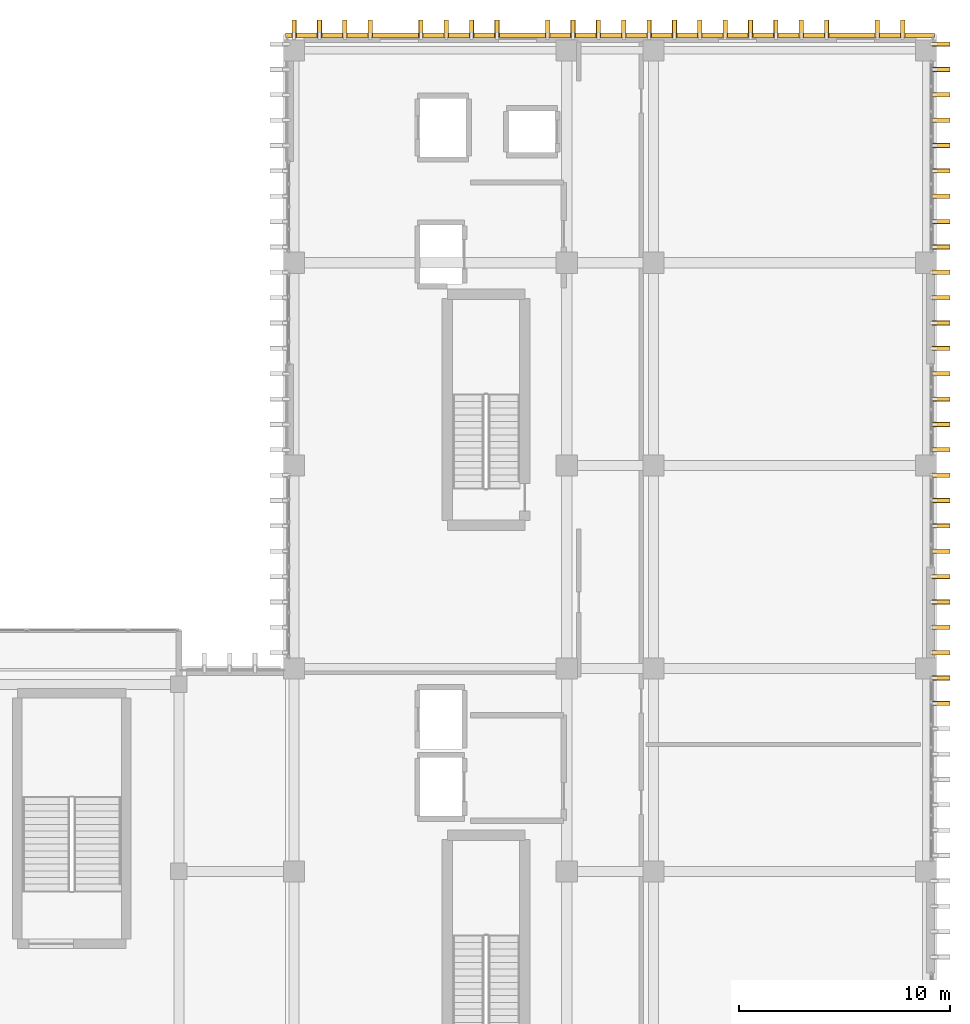
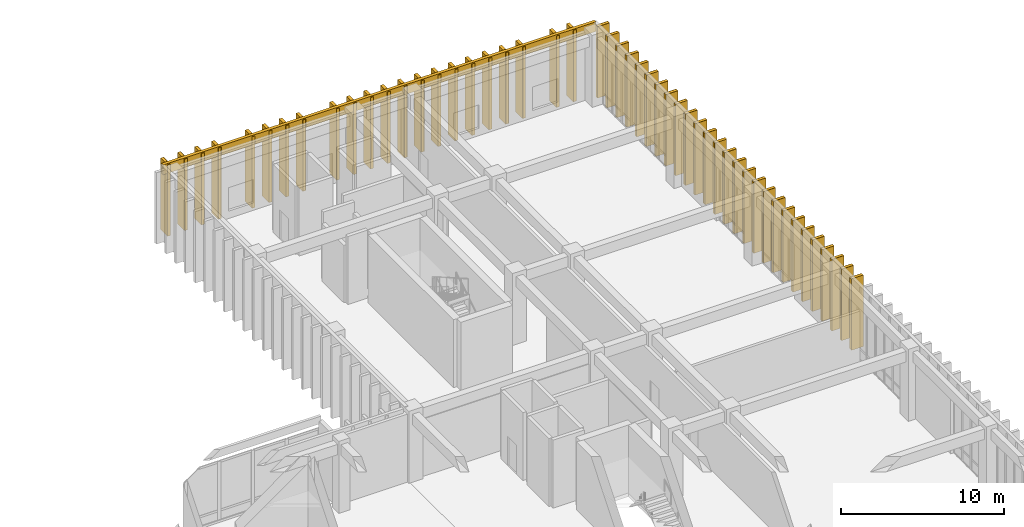
# One storey, part 134 of 134: 50 coverings, 49 shading devices.
"""IFC4 building model written with IfcOpenShell, lengths in metres."""

from ifc_helpers import new_model, si_unit, direction, frame, origin, origin_2d, place, context, subcontext, project, spatial, rectangle, extrude, material, layer, layer_set, type_object, element, save


model = new_model("IFC4")

# Units and contexts
model_context = context("Model", 3, precision=1e-05, world=origin(), true_north=direction((0.0, 1.0)))
body_context = subcontext(model_context, "Body", "Model", "MODEL_VIEW")
ifc_project = project(units=[si_unit("LENGTHUNIT", "METRE"), si_unit("AREAUNIT", "SQUARE_METRE"), si_unit("VOLUMEUNIT", "CUBIC_METRE"), si_unit("PLANEANGLEUNIT", "RADIAN"), si_unit("MASSUNIT", "GRAM", prefix="KILO")], contexts=[model_context])

# Site, building, storey
site_placement = place(None, origin())
site = spatial("IfcSite", under=ifc_project, at=site_placement, CompositionType="ELEMENT")
building_placement = place(site_placement, origin())
building = spatial("IfcBuilding", under=site, at=building_placement, Name="Nakhvara Creek Congress Hotel", CompositionType="ELEMENT")
storey_placement = place(building_placement, frame((0.0, 0.0, 6.0)))
storey = spatial("IfcBuildingStorey", under=building, at=storey_placement, Name="L01", CompositionType="ELEMENT", Elevation=6.0)

# Coverings
ifc_material_1 = material(Name="Honed pale Omani limestone architectural cladding", Category="masonry")
ifc_layer_1 = layer(ifc_material_1, 0.219970703125)
ifc_layer_set_1 = layer_set([ifc_layer_1], Name="Honed pale Omani limestone architectural cladding")
covering_type_1 = type_object("IfcCoveringType", Name="COV-FIN-850", PredefinedType="CLADDING", material=ifc_layer_set_1)
for number, where, z_axis, x_axis, name in (
    (1, (180.054931640625, 94.35009765625, 0.0), (0.0, 0.0, 1.0), (0.0, 1.0, 0.0), "Pale Limestone Fin Cladding CF01-0755"),
    (2, (180.054931640625, 95.550048828125, 0.0), (0.0, 0.0, 1.0), (0.0, 1.0, 0.0), "Pale Limestone Fin Cladding CF01-0756"),
    (3, (180.054931640625, 96.75, 0.0), (0.0, 0.0, 1.0), (0.0, 1.0, 0.0), "Pale Limestone Fin Cladding CF01-0757"),
    (4, (180.054931640625, 97.949951171875, 0.0), (0.0, 0.0, 1.0), (0.0, 1.0, 0.0), "Pale Limestone Fin Cladding CF01-0759"),
    (5, (180.054931640625, 99.14990234375, 0.0), (0.0, 0.0, 1.0), (0.0, 1.0, 0.0), "Pale Limestone Fin Cladding CF01-0761"),
    (6, (180.054931640625, 100.35009765625, 0.0), (0.0, 0.0, 1.0), (0.0, 1.0, 0.0), "Pale Limestone Fin Cladding CF01-0763"),
    (7, (180.054931640625, 101.550048828125, 0.0), (0.0, 0.0, 1.0), (0.0, 1.0, 0.0), "Pale Limestone Fin Cladding CF01-0765"),
    (8, (180.054931640625, 102.75, 0.0), (0.0, 0.0, 1.0), (0.0, 1.0, 0.0), "Pale Limestone Fin Cladding CF01-0767"),
    (9, (180.054931640625, 103.949951171875, 0.0), (0.0, 0.0, 1.0), (0.0, 1.0, 0.0), "Pale Limestone Fin Cladding CF01-0769"),
    (10, (180.054931640625, 105.14990234375, 0.0), (0.0, 0.0, 1.0), (0.0, 1.0, 0.0), "Pale Limestone Fin Cladding CF01-0771"),
    (11, (180.054931640625, 106.35009765625, 0.0), (0.0, 0.0, 1.0), (0.0, 1.0, 0.0), "Pale Limestone Fin Cladding CF01-0773"),
    (12, (180.054931640625, 107.550048828125, 0.0), (0.0, 0.0, 1.0), (0.0, 1.0, 0.0), "Pale Limestone Fin Cladding CF01-0775"),
    (13, (180.054931640625, 108.75, 0.0), (0.0, 0.0, 1.0), (0.0, 1.0, 0.0), "Pale Limestone Fin Cladding CF01-0777"),
    (14, (180.054931640625, 109.949951171875, 0.0), (0.0, 0.0, 1.0), (0.0, 1.0, 0.0), "Pale Limestone Fin Cladding CF01-0779"),
    (15, (180.054931640625, 111.14990234375, 0.0), (0.0, 0.0, 1.0), (0.0, 1.0, 0.0), "Pale Limestone Fin Cladding CF01-0781"),
    (16, (180.054931640625, 112.35009765625, 0.0), (0.0, 0.0, 1.0), (0.0, 1.0, 0.0), "Pale Limestone Fin Cladding CF01-0783"),
    (17, (180.054931640625, 113.550048828125, 0.0), (0.0, 0.0, 1.0), (0.0, 1.0, 0.0), "Pale Limestone Fin Cladding CF01-0785"),
    (18, (180.054931640625, 114.75, 0.0), (0.0, 0.0, 1.0), (0.0, 1.0, 0.0), "Pale Limestone Fin Cladding CF01-0787"),
    (19, (180.054931640625, 115.949951171875, 0.0), (0.0, 0.0, 1.0), (0.0, 1.0, 0.0), "Pale Limestone Fin Cladding CF01-0789"),
    (20, (180.054931640625, 117.14990234375, 0.0), (0.0, 0.0, 1.0), (0.0, 1.0, 0.0), "Pale Limestone Fin Cladding CF01-0791"),
    (21, (180.054931640625, 118.35009765625, 0.0), (0.0, 0.0, 1.0), (0.0, 1.0, 0.0), "Pale Limestone Fin Cladding CF01-0793"),
    (22, (180.054931640625, 119.550048828125, 0.0), (0.0, 0.0, 1.0), (0.0, 1.0, 0.0), "Pale Limestone Fin Cladding CF01-0795"),
    (23, (180.054931640625, 120.75, 0.0), (0.0, 0.0, 1.0), (0.0, 1.0, 0.0), "Pale Limestone Fin Cladding CF01-0797"),
    (24, (180.054931640625, 121.949951171875, 0.0), (0.0, 0.0, 1.0), (0.0, 1.0, 0.0), "Pale Limestone Fin Cladding CF01-0799"),
    (25, (180.054931640625, 123.14990234375, 0.0), (0.0, 0.0, 1.0), (0.0, 1.0, 0.0), "Pale Limestone Fin Cladding CF01-0801"),
    (26, (180.054931640625, 124.35009765625, 0.0), (0.0, 0.0, 1.0), (0.0, 1.0, 0.0), "Pale Limestone Fin Cladding CF01-0803"),
    (27, (180.054931640625, 125.550048828125, 0.0), (0.0, 0.0, 1.0), (0.0, 1.0, 0.0), "Pale Limestone Fin Cladding CF01-0805"),
    (28, (149.449951171875, 126.264892578125, 0.0), (0.0, 0.0, 1.0), (1.0, 0.0, 0.0), "Pale Limestone Fin Cladding CF01-0807"),
    (29, (150.64990234375, 126.264892578125, 0.0), (0.0, 0.0, 1.0), (1.0, 0.0, 0.0), "Pale Limestone Fin Cladding CF01-0809"),
    (30, (151.85009765625, 126.264892578125, 0.0), (0.0, 0.0, 1.0), (1.0, 0.0, 0.0), "Pale Limestone Fin Cladding CF01-0811"),
    (31, (153.050048828125, 126.264892578125, 0.0), (0.0, 0.0, 1.0), (1.0, 0.0, 0.0), "Pale Limestone Fin Cladding CF01-0813"),
    (32, (155.449951171875, 126.264892578125, 0.0), (0.0, 0.0, 1.0), (1.0, 0.0, 0.0), "Pale Limestone Fin Cladding CF01-0816"),
    (33, (156.64990234375, 126.264892578125, 0.0), (0.0, 0.0, 1.0), (1.0, 0.0, 0.0), "Pale Limestone Fin Cladding CF01-0818"),
    (34, (157.85009765625, 126.264892578125, 0.0), (0.0, 0.0, 1.0), (1.0, 0.0, 0.0), "Pale Limestone Fin Cladding CF01-0820"),
    (35, (159.050048828125, 126.264892578125, 0.0), (0.0, 0.0, 1.0), (1.0, 0.0, 0.0), "Pale Limestone Fin Cladding CF01-0822"),
    (36, (161.449951171875, 126.264892578125, 0.0), (0.0, 0.0, 1.0), (1.0, 0.0, 0.0), "Pale Limestone Fin Cladding CF01-0825"),
    (37, (162.64990234375, 126.264892578125, 0.0), (0.0, 0.0, 1.0), (1.0, 0.0, 0.0), "Pale Limestone Fin Cladding CF01-0827"),
    (38, (163.85009765625, 126.264892578125, 0.0), (0.0, 0.0, 1.0), (1.0, 0.0, 0.0), "Pale Limestone Fin Cladding CF01-0829"),
    (39, (165.050048828125, 126.264892578125, 0.0), (0.0, 0.0, 1.0), (1.0, 0.0, 0.0), "Pale Limestone Fin Cladding CF01-0831"),
    (40, (166.25, 126.264892578125, 0.0), (0.0, 0.0, 1.0), (1.0, 0.0, 0.0), "Pale Limestone Fin Cladding CF01-0833"),
    (41, (167.449951171875, 126.264892578125, 0.0), (0.0, 0.0, 1.0), (1.0, 0.0, 0.0), "Pale Limestone Fin Cladding CF01-0835"),
    (42, (168.64990234375, 126.264892578125, 0.0), (0.0, 0.0, 1.0), (1.0, 0.0, 0.0), "Pale Limestone Fin Cladding CF01-0837"),
    (43, (169.85009765625, 126.264892578125, 0.0), (0.0, 0.0, 1.0), (1.0, 0.0, 0.0), "Pale Limestone Fin Cladding CF01-0838"),
    (44, (171.050048828125, 126.264892578125, 0.0), (0.0, 0.0, 1.0), (1.0, 0.0, 0.0), "Pale Limestone Fin Cladding CF01-0840"),
    (45, (172.25, 126.264892578125, 0.0), (0.0, 0.0, 1.0), (1.0, 0.0, 0.0), "Pale Limestone Fin Cladding CF01-0842"),
    (46, (173.449951171875, 126.264892578125, 0.0), (0.0, 0.0, 1.0), (1.0, 0.0, 0.0), "Pale Limestone Fin Cladding CF01-0844"),
    (47, (174.64990234375, 126.264892578125, 0.0), (0.0, 0.0, 1.0), (1.0, 0.0, 0.0), "Pale Limestone Fin Cladding CF01-0846"),
    (48, (177.050048828125, 126.264892578125, 0.0), (0.0, 0.0, 1.0), (1.0, 0.0, 0.0), "Pale Limestone Fin Cladding CF01-0849"),
    (49, (178.25, 126.264892578125, 0.0), (0.0, 0.0, 1.0), (1.0, 0.0, 0.0), "Pale Limestone Fin Cladding CF01-0851"),
):
    element("IfcCovering", number, at=place(storey_placement, frame(where, z_axis=z_axis, x_axis=x_axis)), inside=storey, type_object=covering_type_1, Name=name, PredefinedType="CLADDING", context=body_context, shape_type="SweptSolid", body=[
        extrude(rectangle(XDim=0.219970703125, YDim=0.85009765625, at=origin_2d()), origin(), (0.0, 0.0, 1.0), 5.360107421875),
    ])
ifc_layer_2 = layer(ifc_material_1, 0.179931640625)
ifc_layer_set_2 = layer_set([ifc_layer_2], Name="Honed pale Omani limestone architectural cladding")
covering_type_2 = type_object("IfcCoveringType", Name="COV-SPN-180", PredefinedType="CLADDING", material=ifc_layer_set_2)
covering_placement = place(storey_placement, frame((164.39990234375, 125.969970703125, 4.7099609375), z_axis=(0.0, 0.0, 1.0), x_axis=(1.0, 0.0, 0.0)))
element("IfcCovering", 50, at=covering_placement, inside=storey, type_object=covering_type_2, Name="Pale Limestone Spandrel Band CF02-0047", PredefinedType="CLADDING", context=body_context, shape_type="SweptSolid", body=[
    extrude(rectangle(XDim=30.699951171875, YDim=0.219970703125, at=origin_2d()), origin(), (0.0, 0.0, 1.0), 0.72998046875),
])

# Shading devices
ifc_material_2 = material(Name="Honed pale Omani limestone cladding on stainless steel spine", Category="masonry")
shading_device_type = type_object("IfcShadingDeviceType", Name="SHD-FIN-850X4700", PredefinedType="USERDEFINED", material=ifc_material_2)
for number, where, z_axis, x_axis, name in (
    (51, (180.054931640625, 94.35009765625, 0.0), (0.0, 0.0, 1.0), (0.0, 1.0, 0.0), "Limestone Solar Fin FN02-0620"),
    (52, (180.054931640625, 95.550048828125, 0.0), (0.0, 0.0, 1.0), (0.0, 1.0, 0.0), "Limestone Solar Fin FN02-0621"),
    (53, (180.054931640625, 96.75, 0.0), (0.0, 0.0, 1.0), (0.0, 1.0, 0.0), "Limestone Solar Fin FN02-0622"),
    (54, (180.054931640625, 97.949951171875, 0.0), (0.0, 0.0, 1.0), (0.0, 1.0, 0.0), "Limestone Solar Fin FN02-0624"),
    (55, (180.054931640625, 99.14990234375, 0.0), (0.0, 0.0, 1.0), (0.0, 1.0, 0.0), "Limestone Solar Fin FN02-0626"),
    (56, (180.054931640625, 100.35009765625, 0.0), (0.0, 0.0, 1.0), (0.0, 1.0, 0.0), "Limestone Solar Fin FN02-0628"),
    (57, (180.054931640625, 101.550048828125, 0.0), (0.0, 0.0, 1.0), (0.0, 1.0, 0.0), "Limestone Solar Fin FN02-0630"),
    (58, (180.054931640625, 102.75, 0.0), (0.0, 0.0, 1.0), (0.0, 1.0, 0.0), "Limestone Solar Fin FN02-0632"),
    (59, (180.054931640625, 103.949951171875, 0.0), (0.0, 0.0, 1.0), (0.0, 1.0, 0.0), "Limestone Solar Fin FN02-0634"),
    (60, (180.054931640625, 105.14990234375, 0.0), (0.0, 0.0, 1.0), (0.0, 1.0, 0.0), "Limestone Solar Fin FN02-0636"),
    (61, (180.054931640625, 106.35009765625, 0.0), (0.0, 0.0, 1.0), (0.0, 1.0, 0.0), "Limestone Solar Fin FN02-0638"),
    (62, (180.054931640625, 107.550048828125, 0.0), (0.0, 0.0, 1.0), (0.0, 1.0, 0.0), "Limestone Solar Fin FN02-0640"),
    (63, (180.054931640625, 108.75, 0.0), (0.0, 0.0, 1.0), (0.0, 1.0, 0.0), "Limestone Solar Fin FN02-0642"),
    (64, (180.054931640625, 109.949951171875, 0.0), (0.0, 0.0, 1.0), (0.0, 1.0, 0.0), "Limestone Solar Fin FN02-0644"),
    (65, (180.054931640625, 111.14990234375, 0.0), (0.0, 0.0, 1.0), (0.0, 1.0, 0.0), "Limestone Solar Fin FN02-0646"),
    (66, (180.054931640625, 112.35009765625, 0.0), (0.0, 0.0, 1.0), (0.0, 1.0, 0.0), "Limestone Solar Fin FN02-0648"),
    (67, (180.054931640625, 113.550048828125, 0.0), (0.0, 0.0, 1.0), (0.0, 1.0, 0.0), "Limestone Solar Fin FN02-0650"),
    (68, (180.054931640625, 114.75, 0.0), (0.0, 0.0, 1.0), (0.0, 1.0, 0.0), "Limestone Solar Fin FN02-0652"),
    (69, (180.054931640625, 115.949951171875, 0.0), (0.0, 0.0, 1.0), (0.0, 1.0, 0.0), "Limestone Solar Fin FN02-0654"),
    (70, (180.054931640625, 117.14990234375, 0.0), (0.0, 0.0, 1.0), (0.0, 1.0, 0.0), "Limestone Solar Fin FN02-0656"),
    (71, (180.054931640625, 118.35009765625, 0.0), (0.0, 0.0, 1.0), (0.0, 1.0, 0.0), "Limestone Solar Fin FN02-0658"),
    (72, (180.054931640625, 119.550048828125, 0.0), (0.0, 0.0, 1.0), (0.0, 1.0, 0.0), "Limestone Solar Fin FN02-0660"),
    (73, (180.054931640625, 120.75, 0.0), (0.0, 0.0, 1.0), (0.0, 1.0, 0.0), "Limestone Solar Fin FN02-0662"),
    (74, (180.054931640625, 121.949951171875, 0.0), (0.0, 0.0, 1.0), (0.0, 1.0, 0.0), "Limestone Solar Fin FN02-0664"),
    (75, (180.054931640625, 123.14990234375, 0.0), (0.0, 0.0, 1.0), (0.0, 1.0, 0.0), "Limestone Solar Fin FN02-0666"),
    (76, (180.054931640625, 124.35009765625, 0.0), (0.0, 0.0, 1.0), (0.0, 1.0, 0.0), "Limestone Solar Fin FN02-0668"),
    (77, (180.054931640625, 125.550048828125, 0.0), (0.0, 0.0, 1.0), (0.0, 1.0, 0.0), "Limestone Solar Fin FN02-0670"),
    (78, (149.449951171875, 126.264892578125, 0.0), (0.0, 0.0, 1.0), (1.0, 0.0, 0.0), "Limestone Solar Fin FN02-0672"),
    (79, (150.64990234375, 126.264892578125, 0.0), (0.0, 0.0, 1.0), (1.0, 0.0, 0.0), "Limestone Solar Fin FN02-0674"),
    (80, (151.85009765625, 126.264892578125, 0.0), (0.0, 0.0, 1.0), (1.0, 0.0, 0.0), "Limestone Solar Fin FN02-0676"),
    (81, (153.050048828125, 126.264892578125, 0.0), (0.0, 0.0, 1.0), (1.0, 0.0, 0.0), "Limestone Solar Fin FN02-0678"),
    (82, (155.449951171875, 126.264892578125, 0.0), (0.0, 0.0, 1.0), (1.0, 0.0, 0.0), "Limestone Solar Fin FN02-0681"),
    (83, (156.64990234375, 126.264892578125, 0.0), (0.0, 0.0, 1.0), (1.0, 0.0, 0.0), "Limestone Solar Fin FN02-0683"),
    (84, (157.85009765625, 126.264892578125, 0.0), (0.0, 0.0, 1.0), (1.0, 0.0, 0.0), "Limestone Solar Fin FN02-0685"),
    (85, (159.050048828125, 126.264892578125, 0.0), (0.0, 0.0, 1.0), (1.0, 0.0, 0.0), "Limestone Solar Fin FN02-0687"),
    (86, (161.449951171875, 126.264892578125, 0.0), (0.0, 0.0, 1.0), (1.0, 0.0, 0.0), "Limestone Solar Fin FN02-0690"),
    (87, (162.64990234375, 126.264892578125, 0.0), (0.0, 0.0, 1.0), (1.0, 0.0, 0.0), "Limestone Solar Fin FN02-0692"),
    (88, (163.85009765625, 126.264892578125, 0.0), (0.0, 0.0, 1.0), (1.0, 0.0, 0.0), "Limestone Solar Fin FN02-0694"),
    (89, (165.050048828125, 126.264892578125, 0.0), (0.0, 0.0, 1.0), (1.0, 0.0, 0.0), "Limestone Solar Fin FN02-0696"),
    (90, (166.25, 126.264892578125, 0.0), (0.0, 0.0, 1.0), (1.0, 0.0, 0.0), "Limestone Solar Fin FN02-0698"),
    (91, (167.449951171875, 126.264892578125, 0.0), (0.0, 0.0, 1.0), (1.0, 0.0, 0.0), "Limestone Solar Fin FN02-0700"),
    (92, (168.64990234375, 126.264892578125, 0.0), (0.0, 0.0, 1.0), (1.0, 0.0, 0.0), "Limestone Solar Fin FN02-0702"),
    (93, (169.85009765625, 126.264892578125, 0.0), (0.0, 0.0, 1.0), (1.0, 0.0, 0.0), "Limestone Solar Fin FN02-0703"),
    (94, (171.050048828125, 126.264892578125, 0.0), (0.0, 0.0, 1.0), (1.0, 0.0, 0.0), "Limestone Solar Fin FN02-0705"),
    (95, (172.25, 126.264892578125, 0.0), (0.0, 0.0, 1.0), (1.0, 0.0, 0.0), "Limestone Solar Fin FN02-0707"),
    (96, (173.449951171875, 126.264892578125, 0.0), (0.0, 0.0, 1.0), (1.0, 0.0, 0.0), "Limestone Solar Fin FN02-0709"),
    (97, (174.64990234375, 126.264892578125, 0.0), (0.0, 0.0, 1.0), (1.0, 0.0, 0.0), "Limestone Solar Fin FN02-0711"),
    (98, (177.050048828125, 126.264892578125, 0.0), (0.0, 0.0, 1.0), (1.0, 0.0, 0.0), "Limestone Solar Fin FN02-0714"),
    (99, (178.25, 126.264892578125, 0.0), (0.0, 0.0, 1.0), (1.0, 0.0, 0.0), "Limestone Solar Fin FN02-0716"),
):
    element("IfcShadingDevice", number, at=place(storey_placement, frame(where, z_axis=z_axis, x_axis=x_axis)), inside=storey, type_object=shading_device_type, Name=name, ObjectType="FIN", PredefinedType="USERDEFINED", context=body_context, shape_type="SweptSolid", body=[
        extrude(rectangle(XDim=0.199951171875, YDim=0.85009765625, at=origin_2d()), origin(), (0.0, 0.0, 1.0), 5.360107421875),
    ])

save(model, "model.ifc")
